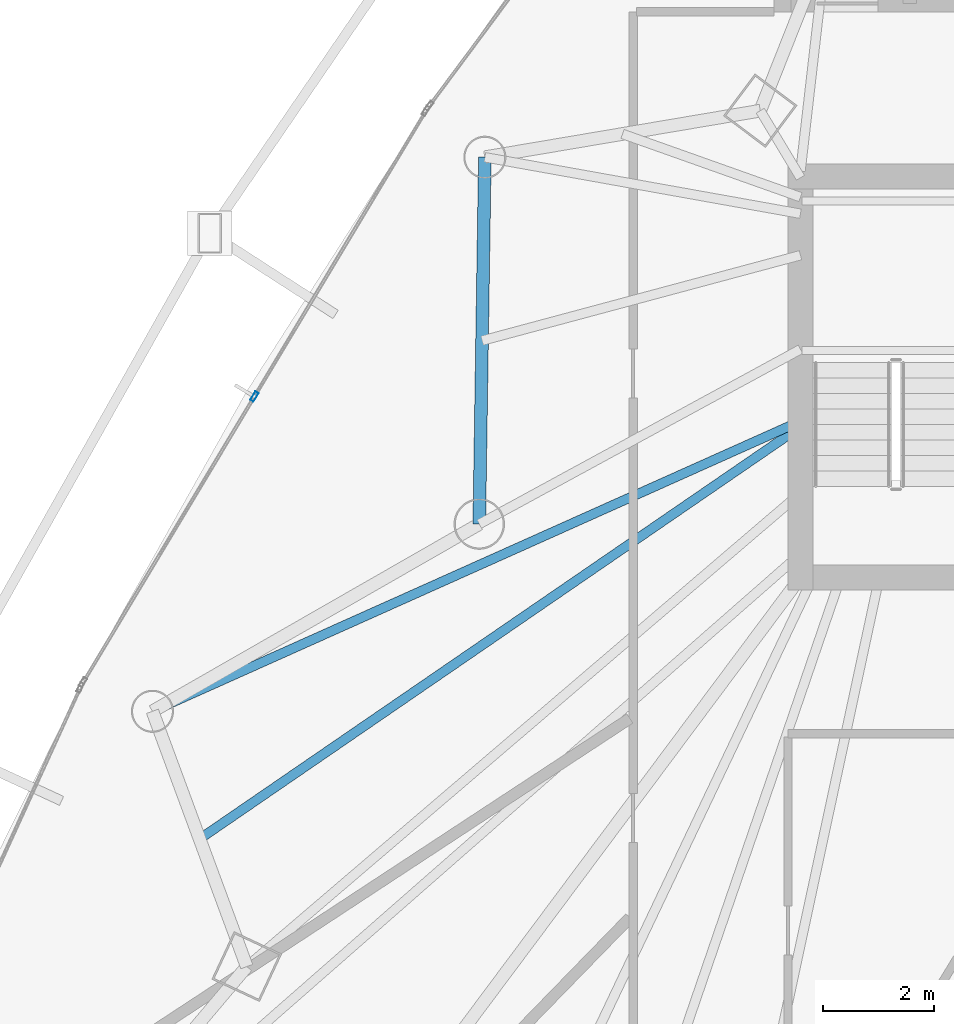
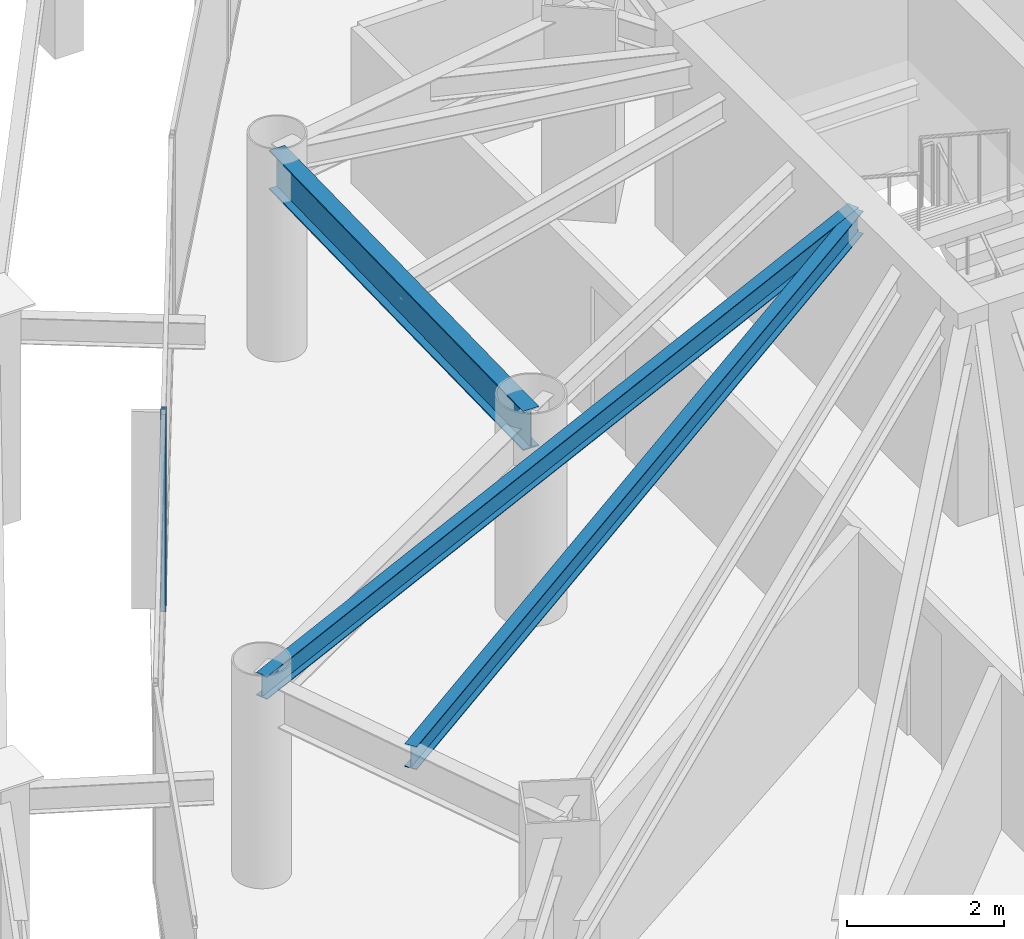
# One storey, part 11 of 33: 3 beams, 1 member, 1 element without a shape of its own.
"""IFC4 building model written with IfcOpenShell, lengths in metres."""

from ifc_helpers import new_model, si_unit, direction, frame, origin, origin_2d, place, context, subcontext, project, spatial, hollow_rectangle, i_section, extrude, material, layer, layer_set, material_profile, profile_set, type_object, element, aggregate, save


model = new_model("IFC4")

# Units and contexts
model_context = context("Model", 3, precision=1e-05, world=origin(), true_north=direction((0.0, 1.0)))
body_context = subcontext(model_context, "Body", "Model", "MODEL_VIEW")
ifc_project = project(units=[si_unit("LENGTHUNIT", "METRE"), si_unit("AREAUNIT", "SQUARE_METRE"), si_unit("VOLUMEUNIT", "CUBIC_METRE"), si_unit("PLANEANGLEUNIT", "RADIAN"), si_unit("MASSUNIT", "GRAM", prefix="KILO")], contexts=[model_context])

# Site, building, storey
site_placement = place(None, origin())
site = spatial("IfcSite", under=ifc_project, at=site_placement, CompositionType="ELEMENT")
building_placement = place(site_placement, origin())
building = spatial("IfcBuilding", under=site, at=building_placement, Name="Orvanel Arch Residences", CompositionType="ELEMENT")
storey_placement = place(building_placement, frame((0.0, 0.0, 87.35009765625)))
storey = spatial("IfcBuildingStorey", under=building, at=storey_placement, Name="L24", CompositionType="ELEMENT", Elevation=87.35009765625)

# Beams
ifc_material_1 = material(Name="Structural steel AS/NZS 3679.1 Grade 300 (300 MPa)", Category="steel")
ifc_material_profile_1 = material_profile(ifc_material_1, i_section(OverallWidth=0.1708984375, OverallDepth=0.35595703125, WebThickness=0.00732421875, FlangeThickness=0.011474609375, at=origin_2d()), Name="360UB50.7")
ifc_profile_set_1 = profile_set([ifc_material_profile_1], Name="Structural steel AS/NZS 3679.1 Grade 300 (300 MPa)")
beam_type_1 = type_object("IfcBeamType", Name="BJ-360UB", PredefinedType="JOIST", material=ifc_profile_set_1)
beam_1_placement = place(storey_placement, frame((26.375, 29.5, 2.8818359375), z_axis=(-0.912704378681, -0.408620505038, 0.0), x_axis=(0.408620505038, -0.912704378681, 0.0)))
element("IfcBeam", 1, at=beam_1_placement, inside=storey, type_object=beam_type_1, Name="L24 LSW Wing Floor Joist", PredefinedType="JOIST", context=body_context, shape_type="SweptSolid", body=[
    extrude(i_section(OverallWidth=0.1708984375, OverallDepth=0.35595703125, WebThickness=0.00732421875, FlangeThickness=0.011474609375, at=origin_2d()), origin(), (0.0, 0.0, 1.0), 12.833251953125),
])
beam_2_placement = place(storey_placement, frame((26.375, 29.39990234375, 2.8818359375), z_axis=(-0.824587280955, -0.565734757716, 0.0), x_axis=(0.565734757716, -0.824587280955, 0.0)))
element("IfcBeam", 2, at=beam_2_placement, inside=storey, type_object=beam_type_1, Name="L24 CTW Wing Floor Joist", PredefinedType="JOIST", context=body_context, shape_type="SweptSolid", body=[
    extrude(i_section(OverallWidth=0.1708984375, OverallDepth=0.35595703125, WebThickness=0.00732421875, FlangeThickness=0.011474609375, at=origin_2d()), origin(), (0.0, 0.0, 1.0), 13.17041015625),
])

# Curtain wall, member
ifc_material_2 = material(Name="Bronze-anodised aluminium AA6063-T6", Category="aluminium")
ifc_layer = layer(ifc_material_2, 0.179931640625)
ifc_layer_set = layer_set([ifc_layer], Name="Bronze-anodised aluminium AA6063-T6")
curtain_wall_type = type_object("IfcCurtainWallType", Name="CW2-LOW-SYS", PredefinedType="NOTDEFINED", material=ifc_layer_set)
curtain_wall_placement = place(storey_placement, origin())
curtain_wall = element("IfcCurtainWall", 3, at=curtain_wall_placement, inside=storey, type_object=curtain_wall_type, Name="L24 CW2-LOW-SYS Unitised Curtain Wall", PredefinedType="NOTDEFINED")
ifc_material_profile_2 = material_profile(ifc_material_2, hollow_rectangle(XDim=0.070068359375, YDim=0.179931640625, WallThickness=0.00439453125, at=origin_2d()), Name="ALU180x70x4.5")
ifc_profile_set_2 = profile_set([ifc_material_profile_2], Name="Bronze-anodised aluminium AA6063-T6")
member_type = type_object("IfcMemberType", Name="MUL-180x70", PredefinedType="MULLION", material=ifc_profile_set_2)
member_placement = place(storey_placement, frame((16.50439453125, 29.944580078125, 0.0), z_axis=(0.0, 0.0, 1.0), x_axis=(0.857536630134, -0.514422907712, 0.0)))
member = element("IfcMember", 4, at=member_placement, type_object=member_type, Name="CW-S2 mullion 2", PredefinedType="MULLION", context=body_context, shape_type="SweptSolid", body=[
    extrude(hollow_rectangle(XDim=0.070068359375, YDim=0.179931640625, WallThickness=0.00439453125, at=origin_2d()), origin(), (0.0, 0.0, 1.0), 3.059814453125),
])
aggregate(curtain_wall, [member])

# Beam
ifc_material_profile_3 = material_profile(ifc_material_1, i_section(OverallWidth=0.22900390625, OverallDepth=0.612060546875, WebThickness=0.011962890625, FlangeThickness=0.01953125, at=origin_2d()), Name="610UB125")
ifc_profile_set_3 = profile_set([ifc_material_profile_3], Name="Structural steel AS/NZS 3679.1 Grade 300 (300 MPa)")
beam_type_2 = type_object("IfcBeamType", Name="SP-610UB", PredefinedType="SPANDREL", material=ifc_profile_set_3)
beam_3_placement = place(storey_placement, frame((20.669921875, 34.27099609375, 2.75390625), z_axis=(-0.015206666874, -0.999884371956, 0.0), x_axis=(0.999884371956, -0.015206666874, 0.0)))
element("IfcBeam", 5, at=beam_3_placement, inside=storey, type_object=beam_type_2, Name="L24 Perimeter Spandrel Beam 20", PredefinedType="SPANDREL", context=body_context, shape_type="SweptSolid", body=[
    extrude(i_section(OverallWidth=0.22900390625, OverallDepth=0.612060546875, WebThickness=0.011962890625, FlangeThickness=0.01953125, at=origin_2d()), origin(), (0.0, 0.0, 1.0), 6.630615234375),
])

save(model, "model.ifc")
